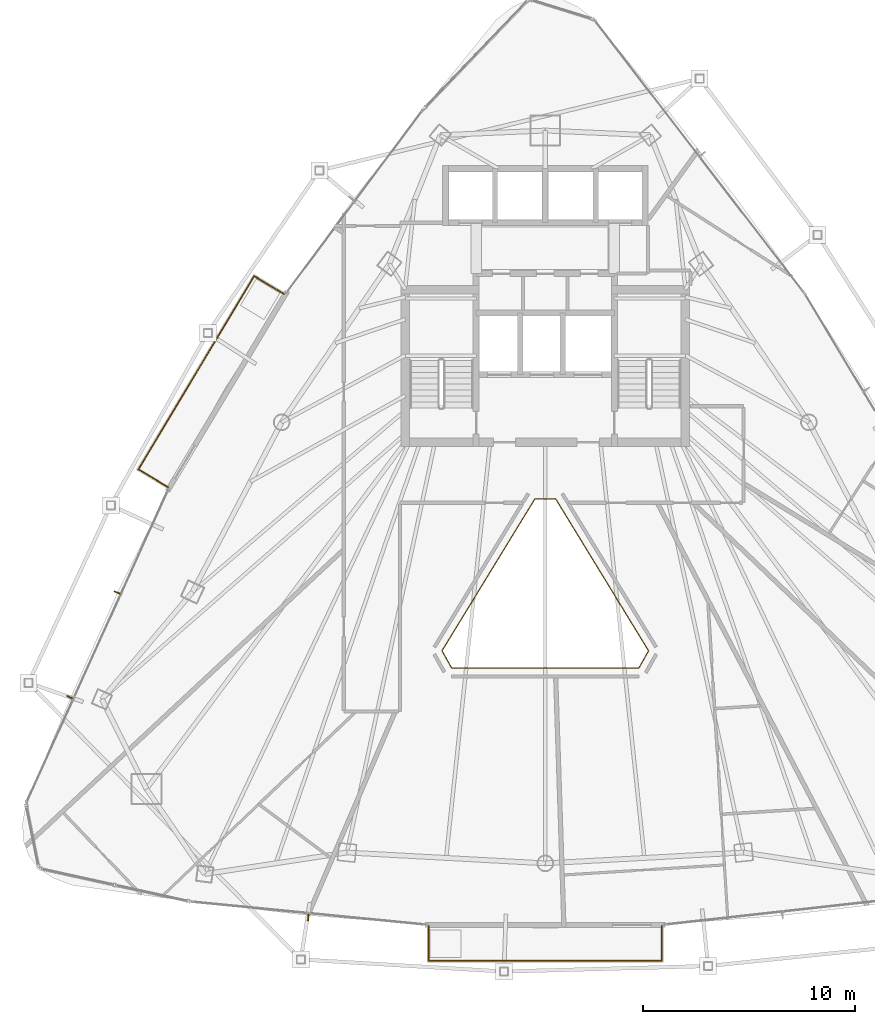
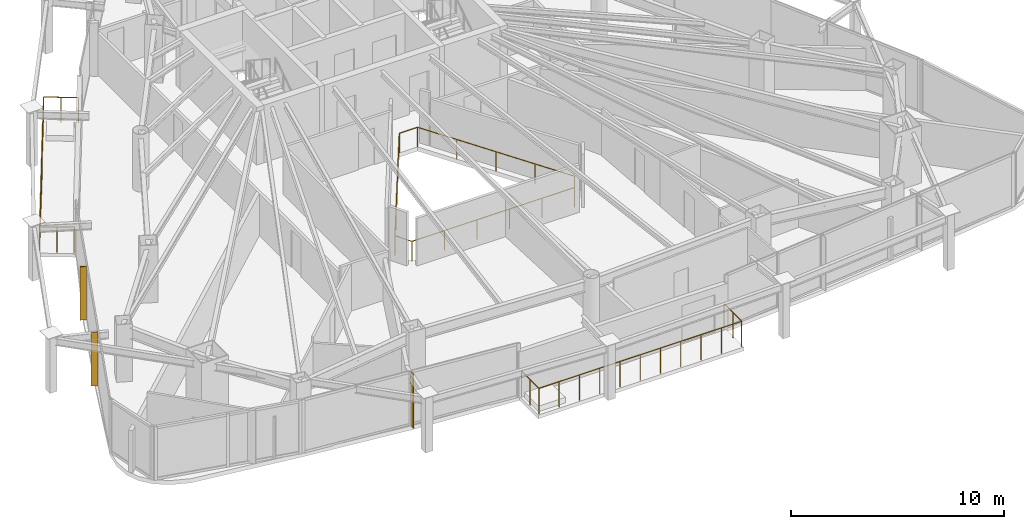
# One storey, part 27 of 29: 3 railings, 3 shading devices.
"""IFC4 building model written with IfcOpenShell, lengths in metres."""

from ifc_helpers import new_model, si_unit, direction, frame, origin, origin_2d, place, context, subcontext, project, spatial, rectangle, circle, extrude, material, layer, layer_set, type_object, element, save


model = new_model("IFC4")

# Units and contexts
model_context = context("Model", 3, precision=1e-05, world=origin(), true_north=direction((0.0, 1.0)))
body_context = subcontext(model_context, "Body", "Model", "MODEL_VIEW")
ifc_project = project(units=[si_unit("LENGTHUNIT", "METRE"), si_unit("AREAUNIT", "SQUARE_METRE"), si_unit("VOLUMEUNIT", "CUBIC_METRE"), si_unit("PLANEANGLEUNIT", "RADIAN"), si_unit("MASSUNIT", "GRAM", prefix="KILO")], contexts=[model_context])

# Site, building, storey
site_placement = place(None, origin())
site = spatial("IfcSite", under=ifc_project, at=site_placement, CompositionType="ELEMENT")
building_placement = place(site_placement, origin())
building = spatial("IfcBuilding", under=site, at=building_placement, Name="Orvanel Arch Residences", CompositionType="ELEMENT")
storey_placement = place(building_placement, frame((0.0, 0.0, 177.050048828125)))
storey = spatial("IfcBuildingStorey", under=building, at=storey_placement, Name="L50", CompositionType="ELEMENT", Elevation=177.050048828125)

# Shading devices
ifc_material = material(Name="Bronze-anodised aluminium AA6063-T6", Category="aluminium")
ifc_layer = layer(ifc_material, 0.054931640625)
ifc_layer_set = layer_set([ifc_layer], Name="Bronze-anodised aluminium AA6063-T6")
shading_device_type = type_object("IfcShadingDeviceType", Name="FIN-BRZ-320", PredefinedType="USERDEFINED", material=ifc_layer_set)
for number, where, z_axis, x_axis, name in (
    (1, (12.81689453125, 19.60888671875, 0.0), (0.0, 0.0, 1.0), (-0.910683660806, 0.413104429825, 0.0), "L50 Anodised Bronze Mullion FIN 01"),
    (2, (10.5830078125, 14.677978515625, 0.0), (0.0, 0.0, 1.0), (-0.910683660806, 0.413104429825, 0.0), "L50 Anodised Bronze Mullion FIN 02"),
    (3, (21.824951171875, 4.304931640625, 0.0), (0.0, 0.0, 1.0), (-0.097582899759, -0.995227399982, 0.0), "L50 Anodised Bronze Mullion FIN 01"),
):
    element("IfcShadingDevice", number, at=place(storey_placement, frame(where, z_axis=z_axis, x_axis=x_axis)), inside=storey, type_object=shading_device_type, Name=name, ObjectType="FIN", PredefinedType="USERDEFINED", context=body_context, shape_type="SweptSolid", body=[
        extrude(rectangle(XDim=0.320068359375, YDim=0.054931640625, at=origin_2d()), origin(), (0.0, 0.0, 1.0), 3.06005859375),
    ])

# Railings
railing_type_1 = type_object("IfcRailingType", Name="RL-ATR-1150", PredefinedType="BALUSTRADE", material=ifc_material)
railing_1_placement = place(storey_placement, frame((33.492919921875, 24.01904296875, 0.0)))
element("IfcRailing", 4, at=railing_1_placement, inside=storey, type_object=railing_type_1, Name="L50 Atrium Void Protective Balustrade", PredefinedType="BALUSTRADE", context=body_context, shape_type="SweptSolid", body=[
    extrude(circle(Radius=0.02392578125, at=origin_2d()), frame((-0.00146484375, 0.0, 1.1259765625), z_axis=(-1.0, 0.0, 0.0), x_axis=(0.0, -1.0, 0.0)), (0.0, 0.0, 1.0), 0.98291015625),
    extrude(circle(Radius=0.02392578125, at=origin_2d()), frame((-0.986572265625, -0.001220703125, 1.1259765625), z_axis=(-0.521599593789, -0.853190402993, 0.0), x_axis=(0.853190402993, -0.521599593789, 0.0)), (0.0, 0.0, 1.0), 8.380859375),
    extrude(circle(Radius=0.02392578125, at=origin_2d()), frame((-5.358154296875, -7.154296875, 1.1259765625), z_axis=(0.489446762149, -0.872033180001, 0.0), x_axis=(0.872033180001, 0.489446762149, 0.0)), (0.0, 0.0, 1.0), 0.92236328125),
    extrude(circle(Radius=0.02392578125, at=origin_2d()), frame((-4.904541015625, -7.9599609375, 1.1259765625), z_axis=(1.0, 0.0, 0.0), x_axis=(0.0, 1.0, 0.0)), (0.0, 0.0, 1.0), 8.8232421875),
    extrude(circle(Radius=0.02392578125, at=origin_2d()), frame((3.9208984375, -7.958740234375, 1.1259765625), z_axis=(0.489446762149, 0.872033180001, 0.0), x_axis=(-0.872033180001, 0.489446762149, 0.0)), (0.0, 0.0, 1.0), 0.92236328125),
    extrude(circle(Radius=0.02392578125, at=origin_2d()), frame((4.372314453125, -7.15185546875, 1.1259765625), z_axis=(-0.521599593789, 0.853190402993, 0.0), x_axis=(-0.853190402993, -0.521599593789, 0.0)), (0.0, 0.0, 1.0), 8.380859375),
    extrude(circle(Radius=0.02099609375, at=origin_2d()), origin(), (0.0, 0.0, 1.0), 1.099853515625),
    extrude(circle(Radius=0.02099609375, at=origin_2d()), frame((-0.98583984375, 0.0, 0.0)), (0.0, 0.0, 1.0), 1.099853515625),
    extrude(circle(Radius=0.02099609375, at=origin_2d()), frame((-2.0791015625, -1.788330078125, 0.0)), (0.0, 0.0, 1.0), 1.099853515625),
    extrude(circle(Radius=0.02099609375, at=origin_2d()), frame((-3.17236328125, -3.57666015625, 0.0)), (0.0, 0.0, 1.0), 1.099853515625),
    extrude(circle(Radius=0.02099609375, at=origin_2d()), frame((-4.265625, -5.36474609375, 0.0)), (0.0, 0.0, 1.0), 1.099853515625),
    extrude(circle(Radius=0.02099609375, at=origin_2d()), frame((-5.35888671875, -7.153076171875, 0.0)), (0.0, 0.0, 1.0), 1.099853515625),
    extrude(circle(Radius=0.02099609375, at=origin_2d()), frame((-4.906005859375, -7.9599609375, 0.0)), (0.0, 0.0, 1.0), 1.099853515625),
    extrude(circle(Radius=0.02099609375, at=origin_2d()), frame((-3.140869140625, -7.9599609375, 0.0)), (0.0, 0.0, 1.0), 1.099853515625),
    extrude(circle(Radius=0.02099609375, at=origin_2d()), frame((-1.37548828125, -7.9599609375, 0.0)), (0.0, 0.0, 1.0), 1.099853515625),
    extrude(circle(Radius=0.02099609375, at=origin_2d()), frame((0.3896484375, -7.9599609375, 0.0)), (0.0, 0.0, 1.0), 1.099853515625),
    extrude(circle(Radius=0.02099609375, at=origin_2d()), frame((2.155029296875, -7.9599609375, 0.0)), (0.0, 0.0, 1.0), 1.099853515625),
    extrude(circle(Radius=0.02099609375, at=origin_2d()), frame((3.920166015625, -7.9599609375, 0.0)), (0.0, 0.0, 1.0), 1.099853515625),
    extrude(circle(Radius=0.02099609375, at=origin_2d()), frame((4.373046875, -7.153076171875, 0.0)), (0.0, 0.0, 1.0), 1.099853515625),
    extrude(circle(Radius=0.02099609375, at=origin_2d()), frame((3.27978515625, -5.36474609375, 0.0)), (0.0, 0.0, 1.0), 1.099853515625),
    extrude(circle(Radius=0.02099609375, at=origin_2d()), frame((2.1865234375, -3.57666015625, 0.0)), (0.0, 0.0, 1.0), 1.099853515625),
    extrude(circle(Radius=0.02099609375, at=origin_2d()), frame((1.09326171875, -1.788330078125, 0.0)), (0.0, 0.0, 1.0), 1.099853515625),
])
railing_type_2 = type_object("IfcRailingType", Name="RL-BAL-1480", PredefinedType="BALUSTRADE", material=ifc_material)
railing_2_placement = place(storey_placement, frame((20.68310546875, 33.68896484375, 0.0)))
element("IfcRailing", 5, at=railing_2_placement, inside=storey, type_object=railing_type_2, Name="L50 Balcony Perimeter Guardrail Face 1", PredefinedType="BALUSTRADE", context=body_context, shape_type="SweptSolid", body=[
    extrude(circle(Radius=0.02392578125, at=origin_2d()), frame((-0.001220703125, 0.000732421875, 1.4560546875), z_axis=(-0.857387817543, 0.514670895164, 0.0), x_axis=(-0.514670895164, -0.857387817543, 0.0)), (0.0, 0.0, 1.0), 1.636962890625),
    extrude(circle(Radius=0.02392578125, at=origin_2d()), frame((-1.40673828125, 0.8427734375, 1.4560546875), z_axis=(-0.514411251887, -0.857543622175, 0.0), x_axis=(0.857543622175, -0.514411251887, 0.0)), (0.0, 0.0, 1.0), 10.619140625),
    extrude(circle(Radius=0.02392578125, at=origin_2d()), frame((-6.868896484375, -8.265625, 1.4560546875), z_axis=(0.857545439568, -0.514408222208, 0.0), x_axis=(0.514408222208, 0.857545439568, 0.0)), (0.0, 0.0, 1.0), 1.6376953125),
    extrude(circle(Radius=0.02099609375, at=origin_2d()), origin(), (0.0, 0.0, 1.0), 1.429931640625),
    extrude(circle(Radius=0.02099609375, at=origin_2d()), frame((-0.703125, 0.421875, 0.0)), (0.0, 0.0, 1.0), 1.429931640625),
    extrude(circle(Radius=0.02099609375, at=origin_2d()), frame((-1.406005859375, 0.843994140625, 0.0)), (0.0, 0.0, 1.0), 1.429931640625),
    extrude(circle(Radius=0.02099609375, at=origin_2d()), frame((-2.01318359375, -0.168212890625, 0.0)), (0.0, 0.0, 1.0), 1.429931640625),
    extrude(circle(Radius=0.02099609375, at=origin_2d()), frame((-2.620361328125, -1.18017578125, 0.0)), (0.0, 0.0, 1.0), 1.429931640625),
    extrude(circle(Radius=0.02099609375, at=origin_2d()), frame((-3.227294921875, -2.1923828125, 0.0)), (0.0, 0.0, 1.0), 1.429931640625),
    extrude(circle(Radius=0.02099609375, at=origin_2d()), frame((-3.83447265625, -3.204345703125, 0.0)), (0.0, 0.0, 1.0), 1.429931640625),
    extrude(circle(Radius=0.02099609375, at=origin_2d()), frame((-4.441650390625, -4.216552734375, 0.0)), (0.0, 0.0, 1.0), 1.429931640625),
    extrude(circle(Radius=0.02099609375, at=origin_2d()), frame((-5.048828125, -5.228515625, 0.0)), (0.0, 0.0, 1.0), 1.429931640625),
    extrude(circle(Radius=0.02099609375, at=origin_2d()), frame((-5.65576171875, -6.24072265625, 0.0)), (0.0, 0.0, 1.0), 1.429931640625),
    extrude(circle(Radius=0.02099609375, at=origin_2d()), frame((-6.262939453125, -7.252685546875, 0.0)), (0.0, 0.0, 1.0), 1.429931640625),
    extrude(circle(Radius=0.02099609375, at=origin_2d()), frame((-6.8701171875, -8.264892578125, 0.0)), (0.0, 0.0, 1.0), 1.429931640625),
    extrude(circle(Radius=0.02099609375, at=origin_2d()), frame((-6.16650390625, -8.68701171875, 0.0)), (0.0, 0.0, 1.0), 1.429931640625),
    extrude(circle(Radius=0.02099609375, at=origin_2d()), frame((-5.463134765625, -9.10888671875, 0.0)), (0.0, 0.0, 1.0), 1.429931640625),
])
railing_3_placement = place(storey_placement, frame((27.501953125, 3.885009765625, 0.0)))
element("IfcRailing", 6, at=railing_3_placement, inside=storey, type_object=railing_type_2, Name="L50 Balcony Perimeter Guardrail Face 2", PredefinedType="BALUSTRADE", context=body_context, shape_type="SweptSolid", body=[
    extrude(circle(Radius=0.02392578125, at=origin_2d()), frame((0.0, -0.00146484375, 1.4560546875), z_axis=(0.0, -1.0, 0.0), x_axis=(1.0, 0.0, 0.0)), (0.0, 0.0, 1.0), 1.636962890625),
    extrude(circle(Radius=0.02392578125, at=origin_2d()), frame((0.00146484375, -1.639892578125, 1.4560546875), z_axis=(1.0, 0.0, 0.0), x_axis=(0.0, 1.0, 0.0)), (0.0, 0.0, 1.0), 10.9931640625),
    extrude(circle(Radius=0.02392578125, at=origin_2d()), frame((10.99609375, -1.638427734375, 1.4560546875), z_axis=(0.0, 1.0, 0.0), x_axis=(-1.0, 0.0, 0.0)), (0.0, 0.0, 1.0), 1.636962890625),
    extrude(circle(Radius=0.02099609375, at=origin_2d()), origin(), (0.0, 0.0, 1.0), 1.429931640625),
    extrude(circle(Radius=0.02099609375, at=origin_2d()), frame((0.0, -0.81982421875, 0.0)), (0.0, 0.0, 1.0), 1.429931640625),
    extrude(circle(Radius=0.02099609375, at=origin_2d()), frame((0.0, -1.639892578125, 0.0)), (0.0, 0.0, 1.0), 1.429931640625),
    extrude(circle(Radius=0.02099609375, at=origin_2d()), frame((1.099609375, -1.639892578125, 0.0)), (0.0, 0.0, 1.0), 1.429931640625),
    extrude(circle(Radius=0.02099609375, at=origin_2d()), frame((2.19921875, -1.639892578125, 0.0)), (0.0, 0.0, 1.0), 1.429931640625),
    extrude(circle(Radius=0.02099609375, at=origin_2d()), frame((3.298828125, -1.639892578125, 0.0)), (0.0, 0.0, 1.0), 1.429931640625),
    extrude(circle(Radius=0.02099609375, at=origin_2d()), frame((4.3984375, -1.639892578125, 0.0)), (0.0, 0.0, 1.0), 1.429931640625),
    extrude(circle(Radius=0.02099609375, at=origin_2d()), frame((5.498046875, -1.639892578125, 0.0)), (0.0, 0.0, 1.0), 1.429931640625),
    extrude(circle(Radius=0.02099609375, at=origin_2d()), frame((6.59765625, -1.639892578125, 0.0)), (0.0, 0.0, 1.0), 1.429931640625),
    extrude(circle(Radius=0.02099609375, at=origin_2d()), frame((7.697265625, -1.639892578125, 0.0)), (0.0, 0.0, 1.0), 1.429931640625),
    extrude(circle(Radius=0.02099609375, at=origin_2d()), frame((8.796875, -1.639892578125, 0.0)), (0.0, 0.0, 1.0), 1.429931640625),
    extrude(circle(Radius=0.02099609375, at=origin_2d()), frame((9.896484375, -1.639892578125, 0.0)), (0.0, 0.0, 1.0), 1.429931640625),
    extrude(circle(Radius=0.02099609375, at=origin_2d()), frame((10.99609375, -1.639892578125, 0.0)), (0.0, 0.0, 1.0), 1.429931640625),
    extrude(circle(Radius=0.02099609375, at=origin_2d()), frame((10.99609375, -0.81982421875, 0.0)), (0.0, 0.0, 1.0), 1.429931640625),
    extrude(circle(Radius=0.02099609375, at=origin_2d()), frame((10.99609375, 0.0, 0.0)), (0.0, 0.0, 1.0), 1.429931640625),
])

save(model, "model.ifc")
